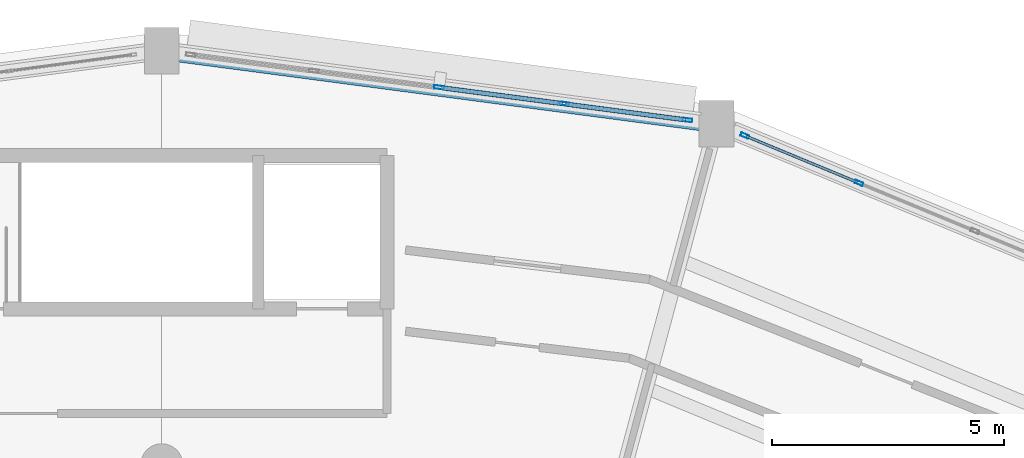
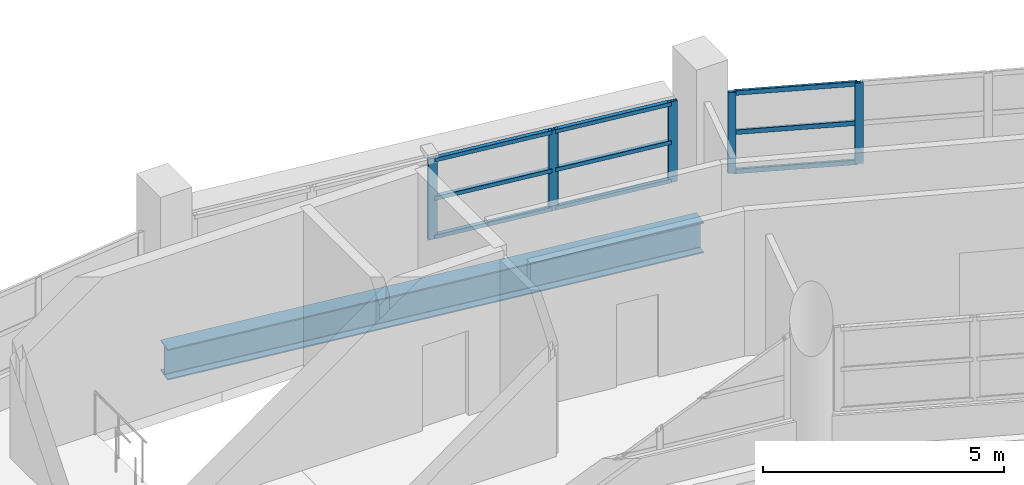
# One storey, part 39 of 53: 14 members, 1 beam, 2 elements without a shape of their own.
"""IFC4 building model written with IfcOpenShell, lengths in metres."""

from ifc_helpers import new_model, si_unit, direction, frame, origin, origin_2d, place, context, subcontext, project, spatial, hollow_rectangle, i_section, extrude, material, layer, layer_set, material_profile, profile_set, type_object, element, aggregate, save


model = new_model("IFC4")

# Units and contexts
model_context = context("Model", 3, precision=1e-05, world=origin(), true_north=direction((0.0, 1.0)))
body_context = subcontext(model_context, "Body", "Model", "MODEL_VIEW")
ifc_project = project(units=[si_unit("LENGTHUNIT", "METRE"), si_unit("AREAUNIT", "SQUARE_METRE"), si_unit("VOLUMEUNIT", "CUBIC_METRE"), si_unit("PLANEANGLEUNIT", "RADIAN"), si_unit("MASSUNIT", "GRAM", prefix="KILO")], contexts=[model_context])

# Site, building, storey
site_placement = place(None, origin())
site = spatial("IfcSite", under=ifc_project, at=site_placement, CompositionType="ELEMENT")
building_placement = place(site_placement, origin())
building = spatial("IfcBuilding", under=site, at=building_placement, Name="Vespera Passage Community Centre", CompositionType="ELEMENT")
storey_placement = place(building_placement, frame((0.0, 0.0, 20.39990234375)))
storey = spatial("IfcBuildingStorey", under=building, at=storey_placement, Name="L05", CompositionType="ELEMENT", Elevation=20.39990234375)

# Beam
ifc_material_1 = material(Name="Steel ASTM A992 Grade 50", Category="steel")
ifc_material_profile_1 = material_profile(ifc_material_1, i_section(OverallWidth=0.382080078125, OverallDepth=0.779296875, WebThickness=0.01806640625, FlangeThickness=0.030029296875, FilletRadius=0.0166015625, at=origin_2d()), Name="W30X191")
ifc_profile_set_1 = profile_set([ifc_material_profile_1], Name="Steel ASTM A992 Grade 50")
beam_type = type_object("IfcBeamType", Name="BM-SP-W30X191E", PredefinedType="SPANDREL", material=ifc_profile_set_1)
beam_placement = place(storey_placement, frame((89.931640625, 110.029296875, -0.649658203125), z_axis=(-0.991445178667, 0.130523782115, 0.0), x_axis=(-0.130523782115, -0.991445178667, 0.0)))
element("IfcBeam", 1, at=beam_placement, inside=storey, type_object=beam_type, Name="V4 L05 Outer Spandrel 5", PredefinedType="SPANDREL", context=body_context, shape_type="SweptSolid", body=[
    extrude(i_section(OverallWidth=0.382080078125, OverallDepth=0.779296875, WebThickness=0.01806640625, FlangeThickness=0.030029296875, FilletRadius=0.0166015625, at=origin_2d()), origin(), (0.0, 0.0, 1.0), 12.03466796875),
])

# Curtain wall, members
ifc_material_2 = material(Name="Anodized aluminium 6063-T6", Category="aluminium")
ifc_layer_1 = layer(ifc_material_2, 0.159912109375)
ifc_layer_set_1 = layer_set([ifc_layer_1], Name="Anodized aluminium 6063-T6")
curtain_wall_type_1 = type_object("IfcCurtainWallType", Name="CW-71E", PredefinedType="NOTDEFINED", material=ifc_layer_set_1)
curtain_wall_1_placement = place(storey_placement, origin())
curtain_wall_1 = element("IfcCurtainWall", 2, at=curtain_wall_1_placement, inside=storey, type_object=curtain_wall_type_1, Name="V4 L05 Outer Ribbon Curtain Wall 4", PredefinedType="NOTDEFINED")
ifc_material_3 = material(Name="Anodized aluminium 6063-T6", Category="aluminium")
ifc_material_profile_2 = material_profile(ifc_material_3, hollow_rectangle(XDim=0.074951171875, YDim=0.179931640625, WallThickness=0.0048828125, InnerFilletRadius=0.00244140625, OuterFilletRadius=0.0048828125, at=origin_2d()), Name="ALU180X75X5")
ifc_profile_set_2 = profile_set([ifc_material_profile_2], Name="Anodized aluminium 6063-T6")
member_type_1 = type_object("IfcMemberType", Name="MB-CWM-180E", PredefinedType="MULLION", material=ifc_profile_set_2)
member_1_placement = place(storey_placement, frame((90.539794921875, 109.77734375, 0.820068359375), z_axis=(0.0, 0.0, 1.0), x_axis=(0.382682936255, 0.923879738007, 0.0)))
member_1 = element("IfcMember", 3, at=member_1_placement, type_object=member_type_1, Name="CW-71E mullion 1", PredefinedType="MULLION", context=body_context, shape_type="SweptSolid", body=[
    extrude(hollow_rectangle(XDim=0.074951171875, YDim=0.179931640625, WallThickness=0.0048828125, InnerFilletRadius=0.00244140625, OuterFilletRadius=0.0048828125, at=origin_2d()), origin(), (0.0, 0.0, 1.0), 2.0458984375),
])
member_2_placement = place(storey_placement, frame((92.998046875, 108.759033203125, 0.820068359375), z_axis=(0.0, 0.0, 1.0), x_axis=(0.382682936255, 0.923879738007, 0.0)))
member_2 = element("IfcMember", 4, at=member_2_placement, type_object=member_type_1, Name="CW-71E mullion 2", PredefinedType="MULLION", context=body_context, shape_type="SweptSolid", body=[
    extrude(hollow_rectangle(XDim=0.074951171875, YDim=0.179931640625, WallThickness=0.0048828125, InnerFilletRadius=0.00244140625, OuterFilletRadius=0.0048828125, at=origin_2d()), origin(), (0.0, 0.0, 1.0), 2.0458984375),
])

ifc_material_4 = material(Name="Anodized aluminium 6063-T6", Category="aluminium")
ifc_layer_2 = layer(ifc_material_4, 0.159912109375)
ifc_layer_set_2 = layer_set([ifc_layer_2], Name="Anodized aluminium 6063-T6")
curtain_wall_type_2 = type_object("IfcCurtainWallType", Name="CW-73E", PredefinedType="NOTDEFINED", material=ifc_layer_set_2)
curtain_wall_2_placement = place(storey_placement, origin())
curtain_wall_2 = element("IfcCurtainWall", 5, at=curtain_wall_2_placement, inside=storey, type_object=curtain_wall_type_2, Name="V4 L05 Outer Ribbon Curtain Wall 5", PredefinedType="NOTDEFINED")
ifc_material_5 = material(Name="Anodized aluminium 6063-T6", Category="aluminium")
ifc_material_profile_3 = material_profile(ifc_material_5, hollow_rectangle(XDim=0.074951171875, YDim=0.2099609375, WallThickness=0.0048828125, InnerFilletRadius=0.00244140625, OuterFilletRadius=0.0048828125, at=origin_2d()), Name="ALU210X75X5")
ifc_profile_set_3 = profile_set([ifc_material_profile_3], Name="Anodized aluminium 6063-T6")
member_type_2 = type_object("IfcMemberType", Name="MB-CWM-210E", PredefinedType="MULLION", material=ifc_profile_set_3)
member_3_placement = place(storey_placement, frame((83.9658203125, 110.814697265625, 0.820068359375), z_axis=(0.0, 0.0, 1.0), x_axis=(0.130530818696, 0.991444252276, 0.0)))
member_3 = element("IfcMember", 6, at=member_3_placement, type_object=member_type_2, Name="CW-73E mullion 3", PredefinedType="MULLION", context=body_context, shape_type="SweptSolid", body=[
    extrude(hollow_rectangle(XDim=0.074951171875, YDim=0.2099609375, WallThickness=0.0048828125, InnerFilletRadius=0.00244140625, OuterFilletRadius=0.0048828125, at=origin_2d()), origin(), (0.0, 0.0, 1.0), 2.0458984375),
])
member_4_placement = place(storey_placement, frame((86.654541015625, 110.460693359375, 0.820068359375), z_axis=(0.0, 0.0, 1.0), x_axis=(0.130530818696, 0.991444252276, 0.0)))
member_4 = element("IfcMember", 7, at=member_4_placement, type_object=member_type_2, Name="CW-73E mullion 4", PredefinedType="MULLION", context=body_context, shape_type="SweptSolid", body=[
    extrude(hollow_rectangle(XDim=0.074951171875, YDim=0.2099609375, WallThickness=0.0048828125, InnerFilletRadius=0.00244140625, OuterFilletRadius=0.0048828125, at=origin_2d()), origin(), (0.0, 0.0, 1.0), 2.0458984375),
])
member_5_placement = place(storey_placement, frame((89.30615234375, 110.111572265625, 0.820068359375), z_axis=(0.0, 0.0, 1.0), x_axis=(0.130530818696, 0.991444252276, 0.0)))
member_5 = element("IfcMember", 8, at=member_5_placement, type_object=member_type_2, Name="CW-73E mullion 5", PredefinedType="MULLION", context=body_context, shape_type="SweptSolid", body=[
    extrude(hollow_rectangle(XDim=0.074951171875, YDim=0.2099609375, WallThickness=0.0048828125, InnerFilletRadius=0.00244140625, OuterFilletRadius=0.0048828125, at=origin_2d()), origin(), (0.0, 0.0, 1.0), 2.0458984375),
])
ifc_material_6 = material(Name="Anodized aluminium 6063-T6", Category="aluminium")
ifc_material_profile_4 = material_profile(ifc_material_6, hollow_rectangle(XDim=0.10009765625, YDim=0.10009765625, WallThickness=0.00390625, InnerFilletRadius=0.001953125, OuterFilletRadius=0.00390625, at=origin_2d()), Name="ALU100X100X4")
ifc_profile_set_4 = profile_set([ifc_material_profile_4], Name="Anodized aluminium 6063-T6")
member_type_3 = type_object("IfcMemberType", Name="MB-CWT-100E", PredefinedType="USERDEFINED", material=ifc_profile_set_4)
member_6_placement = place(storey_placement, frame((84.0029296875, 110.809814453125, 0.8701171875), z_axis=(0.991443263023, -0.130538332324, 0.0), x_axis=(0.130538332324, 0.991443263023, 0.0)))
member_6 = element("IfcMember", 9, at=member_6_placement, type_object=member_type_3, Name="CW-73E transom 3.1", ObjectType="TRANSOM", PredefinedType="USERDEFINED", context=body_context, shape_type="SweptSolid", body=[
    extrude(hollow_rectangle(XDim=0.10009765625, YDim=0.10009765625, WallThickness=0.00390625, InnerFilletRadius=0.001953125, OuterFilletRadius=0.00390625, at=origin_2d()), origin(), (0.0, 0.0, 1.0), 2.636962890625),
])
member_7_placement = place(storey_placement, frame((84.0029296875, 110.809814453125, 1.843017578125), z_axis=(0.991443263023, -0.130538332324, 0.0), x_axis=(0.130538332324, 0.991443263023, 0.0)))
member_7 = element("IfcMember", 10, at=member_7_placement, type_object=member_type_3, Name="CW-73E transom 3.2", ObjectType="TRANSOM", PredefinedType="USERDEFINED", context=body_context, shape_type="SweptSolid", body=[
    extrude(hollow_rectangle(XDim=0.10009765625, YDim=0.10009765625, WallThickness=0.00390625, InnerFilletRadius=0.001953125, OuterFilletRadius=0.00390625, at=origin_2d()), origin(), (0.0, 0.0, 1.0), 2.636962890625),
])
member_8_placement = place(storey_placement, frame((84.0029296875, 110.809814453125, 2.81591796875), z_axis=(0.991443263023, -0.130538332324, 0.0), x_axis=(0.130538332324, 0.991443263023, 0.0)))
member_8 = element("IfcMember", 11, at=member_8_placement, type_object=member_type_3, Name="CW-73E transom 3.3", ObjectType="TRANSOM", PredefinedType="USERDEFINED", context=body_context, shape_type="SweptSolid", body=[
    extrude(hollow_rectangle(XDim=0.10009765625, YDim=0.10009765625, WallThickness=0.00390625, InnerFilletRadius=0.001953125, OuterFilletRadius=0.00390625, at=origin_2d()), origin(), (0.0, 0.0, 1.0), 2.636962890625),
])
member_9_placement = place(storey_placement, frame((86.69189453125, 110.455810546875, 0.8701171875), z_axis=(0.991441503566, -0.130551694767, 0.0), x_axis=(0.130551694767, 0.991441503566, 0.0)))
member_9 = element("IfcMember", 12, at=member_9_placement, type_object=member_type_3, Name="CW-73E transom 4.1", ObjectType="TRANSOM", PredefinedType="USERDEFINED", context=body_context, shape_type="SweptSolid", body=[
    extrude(hollow_rectangle(XDim=0.10009765625, YDim=0.10009765625, WallThickness=0.00390625, InnerFilletRadius=0.001953125, OuterFilletRadius=0.00390625, at=origin_2d()), origin(), (0.0, 0.0, 1.0), 2.599365234375),
])
member_10_placement = place(storey_placement, frame((86.69189453125, 110.455810546875, 1.843017578125), z_axis=(0.991441503566, -0.130551694767, 0.0), x_axis=(0.130551694767, 0.991441503566, 0.0)))
member_10 = element("IfcMember", 13, at=member_10_placement, type_object=member_type_3, Name="CW-73E transom 4.2", ObjectType="TRANSOM", PredefinedType="USERDEFINED", context=body_context, shape_type="SweptSolid", body=[
    extrude(hollow_rectangle(XDim=0.10009765625, YDim=0.10009765625, WallThickness=0.00390625, InnerFilletRadius=0.001953125, OuterFilletRadius=0.00390625, at=origin_2d()), origin(), (0.0, 0.0, 1.0), 2.599365234375),
])
member_11_placement = place(storey_placement, frame((86.69189453125, 110.455810546875, 2.81591796875), z_axis=(0.991441503566, -0.130551694767, 0.0), x_axis=(0.130551694767, 0.991441503566, 0.0)))
member_11 = element("IfcMember", 14, at=member_11_placement, type_object=member_type_3, Name="CW-73E transom 4.3", ObjectType="TRANSOM", PredefinedType="USERDEFINED", context=body_context, shape_type="SweptSolid", body=[
    extrude(hollow_rectangle(XDim=0.10009765625, YDim=0.10009765625, WallThickness=0.00390625, InnerFilletRadius=0.001953125, OuterFilletRadius=0.00390625, at=origin_2d()), origin(), (0.0, 0.0, 1.0), 2.599365234375),
])
aggregate(curtain_wall_2, [member_3, member_4, member_5, member_6, member_7, member_8, member_9, member_10, member_11])

# Member
ifc_material_7 = material(Name="Anodized aluminium 6063-T6", Category="aluminium")
ifc_material_profile_5 = material_profile(ifc_material_7, hollow_rectangle(XDim=0.06005859375, YDim=0.1201171875, WallThickness=0.00390625, InnerFilletRadius=0.001953125, OuterFilletRadius=0.00390625, at=origin_2d()), Name="ALU120X60X4")
ifc_profile_set_5 = profile_set([ifc_material_profile_5], Name="Anodized aluminium 6063-T6")
member_type_4 = type_object("IfcMemberType", Name="MB-CWT-120E", PredefinedType="USERDEFINED", material=ifc_profile_set_5)
member_12_placement = place(storey_placement, frame((90.574462890625, 109.762939453125, 0.85009765625), z_axis=(0.923882193286, -0.382677008624, 0.0), x_axis=(0.382677008624, 0.923882193286, 0.0)))
member_12 = element("IfcMember", 15, at=member_12_placement, type_object=member_type_4, Name="CW-71E transom 1.1", ObjectType="TRANSOM", PredefinedType="USERDEFINED", context=body_context, shape_type="SweptSolid", body=[
    extrude(hollow_rectangle(XDim=0.06005859375, YDim=0.1201171875, WallThickness=0.00390625, InnerFilletRadius=0.001953125, OuterFilletRadius=0.00390625, at=origin_2d()), origin(), (0.0, 0.0, 1.0), 2.585693359375),
])

member_13_placement = place(storey_placement, frame((90.574462890625, 109.762939453125, 1.843017578125), z_axis=(0.923882193286, -0.382677008624, 0.0), x_axis=(0.382677008624, 0.923882193286, 0.0)))
member_13 = element("IfcMember", 16, at=member_13_placement, type_object=member_type_4, Name="CW-71E transom 1.2", ObjectType="TRANSOM", PredefinedType="USERDEFINED", context=body_context, shape_type="SweptSolid", body=[
    extrude(hollow_rectangle(XDim=0.06005859375, YDim=0.1201171875, WallThickness=0.00390625, InnerFilletRadius=0.001953125, OuterFilletRadius=0.00390625, at=origin_2d()), origin(), (0.0, 0.0, 1.0), 2.585693359375),
])

member_14_placement = place(storey_placement, frame((90.574462890625, 109.762939453125, 2.8359375), z_axis=(0.923882193286, -0.382677008624, 0.0), x_axis=(0.382677008624, 0.923882193286, 0.0)))
member_14 = element("IfcMember", 17, at=member_14_placement, type_object=member_type_4, Name="CW-71E transom 1.3", ObjectType="TRANSOM", PredefinedType="USERDEFINED", context=body_context, shape_type="SweptSolid", body=[
    extrude(hollow_rectangle(XDim=0.06005859375, YDim=0.1201171875, WallThickness=0.00390625, InnerFilletRadius=0.001953125, OuterFilletRadius=0.00390625, at=origin_2d()), origin(), (0.0, 0.0, 1.0), 2.585693359375),
])

aggregate(curtain_wall_1, [member_1, member_2, member_12, member_13, member_14])

save(model, "model.ifc")
